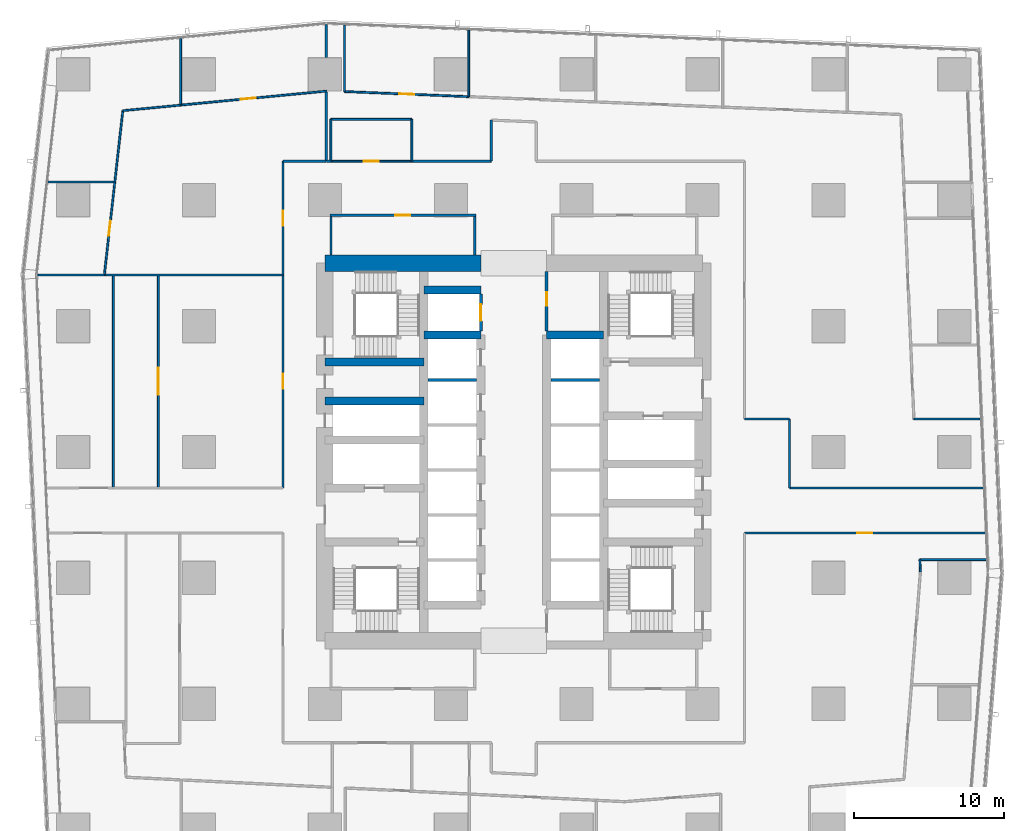
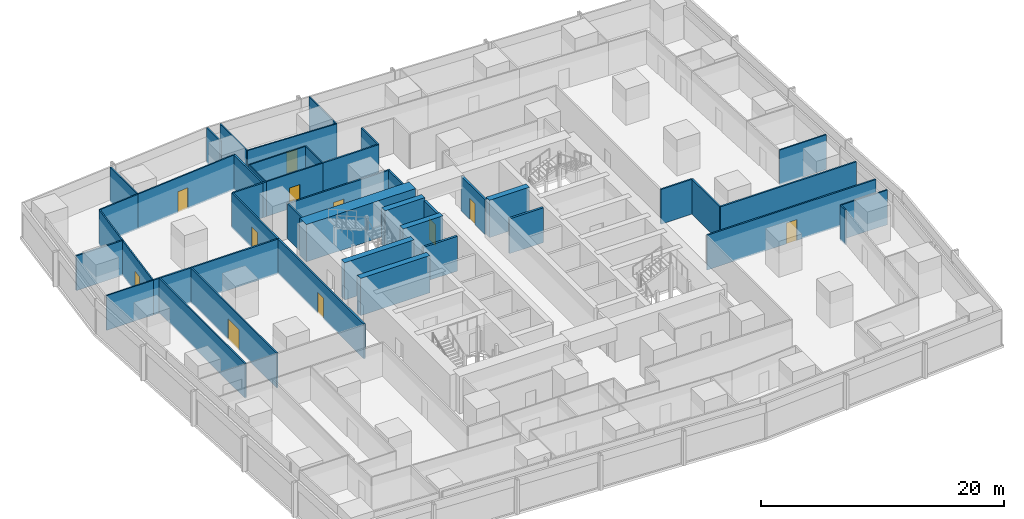
# One storey, part 34 of 45: 45 walls, 11 doors, 11 openings.
"""IFC4 building model written with IfcOpenShell, lengths in metres."""

from ifc_helpers import new_model, si_unit, direction, frame, frame_2d, origin, place, context, subcontext, project, spatial, rectangle, extrude, material, layer, layer_set, type_object, element, fill, save


model = new_model("IFC4")

# Units and contexts
model_context = context("Model", 3, precision=1e-05, world=origin(), true_north=direction((0.0, 1.0)))
body_context = subcontext(model_context, "Body", "Model", "MODEL_VIEW")
ifc_project = project(units=[si_unit("LENGTHUNIT", "METRE"), si_unit("AREAUNIT", "SQUARE_METRE"), si_unit("VOLUMEUNIT", "CUBIC_METRE"), si_unit("PLANEANGLEUNIT", "RADIAN"), si_unit("MASSUNIT", "GRAM", prefix="KILO")], contexts=[model_context])

# Site, building, storey
site_placement = place(None, origin())
site = spatial("IfcSite", under=ifc_project, at=site_placement, CompositionType="ELEMENT")
building_placement = place(site_placement, origin())
building = spatial("IfcBuilding", under=site, at=building_placement, Name="Rekha Terrace Tower", CompositionType="ELEMENT")
storey_placement = place(building_placement, frame((0.0, 0.0, 32.89990234375)))
storey = spatial("IfcBuildingStorey", under=building, at=storey_placement, Name="L07", CompositionType="ELEMENT", Elevation=32.89990234375)

# Walls
ifc_material_1 = material(Name="Concrete M70", Category="concrete")
ifc_layer_1 = layer(ifc_material_1, 0.550048828125)
ifc_layer_set_1 = layer_set([ifc_layer_1], Name="Concrete M70")
wall_type_1 = type_object("IfcWallType", Name="CI1 550 core internal shear wall", PredefinedType="SHEAR", material=ifc_layer_set_1)
for number, where, z_axis, x_axis, name in (
    (1, (31.800048828125, 41.39990234375, 0.0), (0.0, 0.0, 1.0), (1.0, 0.0, 0.0), "Core wall Y414W L07"),
    (2, (31.800048828125, 44.39990234375, 0.0), (0.0, 0.0, 1.0), (1.0, 0.0, 0.0), "Core wall Y444W L07"),
    (3, (40.0, 41.39990234375, 0.0), (0.0, 0.0, 1.0), (1.0, 0.0, 0.0), "Core wall Y414E L07"),
):
    element("IfcWall", number, at=place(storey_placement, frame(where, z_axis=z_axis, x_axis=x_axis)), inside=storey, type_object=wall_type_1, Name=name, PredefinedType="SHEAR", context=body_context, shape_type="SweptSolid", body=[
        extrude(rectangle(XDim=3.800048828125, YDim=0.550048828125, at=frame_2d((1.89990234375, 0.0))), origin(), (0.0, 0.0, 1.0), 3.75),
    ])
for number, where, z_axis, x_axis, name in (
    (4, (25.199951171875, 37.0, 0.0), (0.0, 0.0, 1.0), (1.0, 0.0, 0.0), "Core wall Y370W L07"),
    (5, (25.199951171875, 39.60009765625, 0.0), (0.0, 0.0, 1.0), (1.0, 0.0, 0.0), "Core wall Y396W L07"),
):
    element("IfcWall", number, at=place(storey_placement, frame(where, z_axis=z_axis, x_axis=x_axis)), inside=storey, type_object=wall_type_1, Name=name, PredefinedType="SHEAR", context=body_context, shape_type="SweptSolid", body=[
        extrude(rectangle(XDim=6.60009765625, YDim=0.550048828125, at=frame_2d((3.300048828125, 0.0))), origin(), (0.0, 0.0, 1.0), 3.75),
    ])
ifc_layer_2 = layer(ifc_material_1, 1.10009765625)
ifc_layer_set_2 = layer_set([ifc_layer_2], Name="Concrete M70")
wall_type_2 = type_object("IfcWallType", Name="SW1 1100 core outer shear wall", PredefinedType="SHEAR", material=ifc_layer_set_2)
wall_1_placement = place(storey_placement, frame((25.199951171875, 46.199951171875, 0.0), z_axis=(0.0, 0.0, 1.0), x_axis=(1.0, 0.0, 0.0)))
element("IfcWall", 6, at=wall_1_placement, inside=storey, type_object=wall_type_2, Name="Core wall N1 L07", PredefinedType="SHEAR", context=body_context, shape_type="SweptSolid", body=[
    extrude(rectangle(XDim=10.400146484375, YDim=1.10009765625, at=frame_2d((5.2001953125, 0.0))), origin(), (0.0, 0.0, 1.0), 3.75),
])

# Wall, opening, door
ifc_material_2 = material(Name="Concrete block masonry, 1 hour", Category="masonry")
ifc_layer_3 = layer(ifc_material_2, 0.14990234375)
ifc_layer_set_3 = layer_set([ifc_layer_3], Name="Concrete block masonry, 1 hour")
wall_type_3 = type_object("IfcWallType", Name="WP2 150 tenancy partition", PredefinedType="PARTITIONING", material=ifc_layer_set_3)
wall_2_placement = place(storey_placement, frame((25.52490234375, 49.39990234375, 0.0), z_axis=(0.0, 0.0, 1.0), x_axis=(1.0, 0.0, 0.0)))
wall_2 = element("IfcWall", 7, at=wall_2_placement, inside=storey, type_object=wall_type_3, Name="Women's WC wall L07", PredefinedType="PARTITIONING", context=body_context, shape_type="SweptSolid", body=[
    extrude(rectangle(XDim=9.75, YDim=0.14990234375, at=frame_2d((4.875, 0.0))), origin(), (0.0, 0.0, 1.0), 3.5),
])
opening_1_placement = place(wall_2_placement, frame((4.375, 0.0, 0.0)))
opening_1 = element("IfcOpeningElement", 8, at=opening_1_placement, cuts=wall_2, Name="Opening D3", PredefinedType="OPENING", context=body_context, shape_type="SweptSolid", body=[
    extrude(rectangle(XDim=1.0, YDim=2.10009765625, at=frame_2d((0.5, 1.050048828125))), frame((0.0, 0.0849609375, 0.0), z_axis=(0.0, -1.0, 0.0), x_axis=(1.0, 0.0, 0.0)), (0.0, 0.0, 1.0), 0.169921875),
])
ifc_material_3 = material(Name="Laminated timber fire door", Category="wood")
door_type_1 = type_object("IfcDoorType", Name="D3 1000x2100 WC door", OperationType="SINGLE_SWING_LEFT", PredefinedType="DOOR", material=ifc_material_3)
door_1_placement = place(opening_1_placement, origin())
door_1 = element("IfcDoor", 9, at=door_1_placement, inside=storey, type_object=door_type_1, Name="Door women's wc L07", OperationType="SINGLE_SWING_LEFT", OverallHeight=2.10009765625, OverallWidth=1.0, PredefinedType="DOOR", context=body_context, shape_type="SweptSolid", body=[
    extrude(rectangle(XDim=1.0, YDim=2.10009765625, at=frame_2d((0.5, 1.050048828125))), frame((0.0, 0.02490234375, 0.0), z_axis=(0.0, -1.0, 0.0), x_axis=(1.0, 0.0, 0.0)), (0.0, 0.0, 1.0), 0.050048828125),
])
fill(opening_1, door_1)

# Walls
for number, where, z_axis, x_axis, name in (
    (10, (25.60009765625, 46.75, 0.0), (0.0, 0.0, 1.0), (0.0, 1.0, 0.0), "Women's WC wall L07"),
    (11, (35.199951171875, 46.75, 0.0), (0.0, 0.0, 1.0), (0.0, 1.0, 0.0), "Women's WC wall L07"),
):
    element("IfcWall", number, at=place(storey_placement, frame(where, z_axis=z_axis, x_axis=x_axis)), inside=storey, type_object=wall_type_3, Name=name, PredefinedType="PARTITIONING", context=body_context, shape_type="SweptSolid", body=[
        extrude(rectangle(XDim=2.574951171875, YDim=0.14990234375, at=frame_2d((1.28759765625, 0.0))), origin(), (0.0, 0.0, 1.0), 3.5),
    ])

# Wall, opening, door
wall_3_placement = place(storey_placement, frame((53.199951171875, 28.199951171875, 0.0), z_axis=(0.0, 0.0, 1.0), x_axis=(1.0, 0.0, 0.0)))
wall_3 = element("IfcWall", 12, at=wall_3_placement, inside=storey, type_object=wall_type_3, Name="Partition L07-O1", PredefinedType="PARTITIONING", context=body_context, shape_type="SweptSolid", body=[
    extrude(rectangle(XDim=16.073974609375, YDim=0.14990234375, at=frame_2d((8.037109375, 0.0))), origin(), (0.0, 0.0, 1.0), 3.5),
])
opening_2_placement = place(wall_3_placement, frame((7.52197265625, 0.0, 0.0)))
opening_2 = element("IfcOpeningElement", 13, at=opening_2_placement, cuts=wall_3, Name="Opening D9", PredefinedType="OPENING", context=body_context, shape_type="SweptSolid", body=[
    extrude(rectangle(XDim=1.0, YDim=2.10009765625, at=frame_2d((0.5, 1.050048828125))), frame((0.0, 0.0849609375, 0.0), z_axis=(0.0, -1.0, 0.0), x_axis=(1.0, 0.0, 0.0)), (0.0, 0.0, 1.0), 0.169921875),
])
ifc_material_4 = material(Name="Timber fire door", Category="wood")
door_type_2 = type_object("IfcDoorType", Name="D9 1000x2100 office door", OperationType="SINGLE_SWING_LEFT", PredefinedType="DOOR", material=ifc_material_4)
door_2_placement = place(opening_2_placement, origin())
door_2 = element("IfcDoor", 14, at=door_2_placement, inside=storey, type_object=door_type_2, Name="Door open-plan office L07", OperationType="SINGLE_SWING_LEFT", OverallHeight=2.10009765625, OverallWidth=1.0, PredefinedType="DOOR", context=body_context, shape_type="SweptSolid", body=[
    extrude(rectangle(XDim=1.0, YDim=2.10009765625, at=frame_2d((0.5, 1.050048828125))), frame((0.0, 0.02490234375, 0.0), z_axis=(0.0, -1.0, 0.0), x_axis=(1.0, 0.0, 0.0)), (0.0, 0.0, 1.0), 0.050048828125),
])
fill(opening_2, door_2)

# Walls
wall_4_placement = place(storey_placement, frame((36.300048828125, 55.742919921875, 0.0), z_axis=(0.0, 0.0, 1.0), x_axis=(0.0, -1.0, 0.0)))
element("IfcWall", 15, at=wall_4_placement, inside=storey, type_object=wall_type_3, Name="Partition L07-O3", PredefinedType="PARTITIONING", context=body_context, shape_type="SweptSolid", body=[
    extrude(rectangle(XDim=2.742919921875, YDim=0.14990234375, at=frame_2d((1.37158203125, 0.0))), origin(), (0.0, 0.0, 1.0), 3.5),
])
wall_5_placement = place(storey_placement, frame((36.300048828125, 53.0, 0.0), z_axis=(0.0, 0.0, 1.0), x_axis=(-1.0, 0.0, 0.0)))
element("IfcWall", 16, at=wall_5_placement, inside=storey, type_object=wall_type_3, Name="Partition L07-O3", PredefinedType="PARTITIONING", context=body_context, shape_type="SweptSolid", body=[
    extrude(rectangle(XDim=5.300048828125, YDim=0.14990234375, at=frame_2d((2.64990234375, 0.0))), origin(), (0.0, 0.0, 1.0), 3.5),
])
wall_6_placement = place(storey_placement, frame((25.60009765625, 53.0, 0.0), z_axis=(0.0, 0.0, 1.0), x_axis=(-1.0, 0.0, 0.0)))
element("IfcWall", 17, at=wall_6_placement, inside=storey, type_object=wall_type_3, Name="Partition L07-O3", PredefinedType="PARTITIONING", context=body_context, shape_type="SweptSolid", body=[
    extrude(rectangle(XDim=0.30908203125, YDim=0.14990234375, at=frame_2d((0.154541015625, 0.0))), origin(), (0.0, 0.0, 1.0), 3.5),
])
wall_7_placement = place(storey_placement, frame((25.291015625, 53.0, 0.0), z_axis=(0.0, 0.0, 1.0), x_axis=(0.0, 1.0, 0.0)))
element("IfcWall", 18, at=wall_7_placement, inside=storey, type_object=wall_type_3, Name="Partition L07-O3", PredefinedType="PARTITIONING", context=body_context, shape_type="SweptSolid", body=[
    extrude(rectangle(XDim=4.613037109375, YDim=0.14990234375, at=frame_2d((2.306640625, 0.0))), origin(), (0.0, 0.0, 1.0), 3.5),
])
wall_8_placement = place(storey_placement, frame((25.291015625, 59.919921875, 0.0), z_axis=(0.0, 0.0, 1.0), x_axis=(0.0, 1.0, 0.0)))
element("IfcWall", 19, at=wall_8_placement, inside=storey, type_object=wall_type_3, Name="Partition L07-O3", PredefinedType="PARTITIONING", context=body_context, shape_type="SweptSolid", body=[
    extrude(rectangle(XDim=2.196044921875, YDim=0.14990234375, at=frame_2d((1.09814453125, 0.0))), origin(), (0.0, 0.0, 1.0), 3.5),
])
wall_9_placement = place(storey_placement, frame((69.14501953125, 31.199951171875, 0.0), z_axis=(0.0, 0.0, 1.0), x_axis=(-1.0, 0.0, 0.0)))
element("IfcWall", 20, at=wall_9_placement, inside=storey, type_object=wall_type_3, Name="Partition L07-O3", PredefinedType="PARTITIONING", context=body_context, shape_type="SweptSolid", body=[
    extrude(rectangle(XDim=12.945068359375, YDim=0.14990234375, at=frame_2d((6.47265625, 0.0))), origin(), (0.0, 0.0, 1.0), 3.5),
])
wall_10_placement = place(storey_placement, frame((56.199951171875, 31.199951171875, 0.0), z_axis=(0.0, 0.0, 1.0), x_axis=(0.0, 1.0, 0.0)))
element("IfcWall", 21, at=wall_10_placement, inside=storey, type_object=wall_type_3, Name="Partition L07-O3", PredefinedType="PARTITIONING", context=body_context, shape_type="SweptSolid", body=[
    extrude(rectangle(XDim=4.60009765625, YDim=0.14990234375, at=frame_2d((2.300048828125, 0.0))), origin(), (0.0, 0.0, 1.0), 3.5),
])
wall_11_placement = place(storey_placement, frame((56.199951171875, 35.800048828125, 0.0), z_axis=(0.0, 0.0, 1.0), x_axis=(-1.0, 0.0, 0.0)))
element("IfcWall", 22, at=wall_11_placement, inside=storey, type_object=wall_type_3, Name="Partition L07-O3", PredefinedType="PARTITIONING", context=body_context, shape_type="SweptSolid", body=[
    extrude(rectangle(XDim=3.0, YDim=0.14990234375, at=frame_2d((1.5, 0.0))), origin(), (0.0, 0.0, 1.0), 3.5),
])
wall_12_placement = place(storey_placement, frame((11.1220703125, 51.617919921875, 0.0), z_axis=(0.0, 0.0, 1.0), x_axis=(-1.0, 0.0, 0.0)))
element("IfcWall", 23, at=wall_12_placement, inside=storey, type_object=wall_type_3, Name="Partition L07-O4", PredefinedType="PARTITIONING", context=body_context, shape_type="SweptSolid", body=[
    extrude(rectangle(XDim=4.385009765625, YDim=0.14990234375, at=frame_2d((2.1923828125, 0.0))), origin(), (0.0, 0.0, 1.0), 3.5),
])
wall_13_placement = place(storey_placement, frame((25.2900390625, 53.0, 0.0), z_axis=(0.0, 0.0, 1.0), x_axis=(-1.0, 0.0, 0.0)))
element("IfcWall", 24, at=wall_13_placement, inside=storey, type_object=wall_type_3, Name="Partition L07-O4", PredefinedType="PARTITIONING", context=body_context, shape_type="SweptSolid", body=[
    extrude(rectangle(XDim=2.89013671875, YDim=0.14990234375, at=frame_2d((1.445068359375, 0.0))), origin(), (0.0, 0.0, 1.0), 3.5),
])

# Wall, opening, door
wall_14_placement = place(storey_placement, frame((22.39990234375, 53.0, 0.0), z_axis=(0.0, 0.0, 1.0), x_axis=(0.0, -1.0, 0.0)))
wall_14 = element("IfcWall", 25, at=wall_14_placement, inside=storey, type_object=wall_type_3, Name="Partition L07-O4", PredefinedType="PARTITIONING", context=body_context, shape_type="SweptSolid", body=[
    extrude(rectangle(XDim=7.587890625, YDim=0.14990234375, at=frame_2d((3.7939453125, 0.0))), origin(), (0.0, 0.0, 1.0), 3.5),
])
opening_3_placement = place(wall_14_placement, frame((3.2939453125, 0.0, 0.0)))
opening_3 = element("IfcOpeningElement", 26, at=opening_3_placement, cuts=wall_14, Name="Opening D9", PredefinedType="OPENING", context=body_context, shape_type="SweptSolid", body=[
    extrude(rectangle(XDim=1.0, YDim=2.10009765625, at=frame_2d((0.5, 1.050048828125))), frame((0.0, 0.0849609375, 0.0), z_axis=(0.0, -1.0, 0.0), x_axis=(1.0, 0.0, 0.0)), (0.0, 0.0, 1.0), 0.169921875),
])
door_3_placement = place(opening_3_placement, origin())
door_3 = element("IfcDoor", 27, at=door_3_placement, inside=storey, type_object=door_type_2, Name="Door open-plan office L07", OperationType="SINGLE_SWING_LEFT", OverallHeight=2.10009765625, OverallWidth=1.0, PredefinedType="DOOR", context=body_context, shape_type="SweptSolid", body=[
    extrude(rectangle(XDim=1.0, YDim=2.10009765625, at=frame_2d((0.5, 1.050048828125))), frame((0.0, 0.02490234375, 0.0), z_axis=(0.0, -1.0, 0.0), x_axis=(1.0, 0.0, 0.0)), (0.0, 0.0, 1.0), 0.050048828125),
])
fill(opening_3, door_3)

# Wall
wall_15_placement = place(storey_placement, frame((22.39990234375, 45.412109375, 0.0), z_axis=(0.0, 0.0, 1.0), x_axis=(-1.0, 0.0, 0.0)))
element("IfcWall", 28, at=wall_15_placement, inside=storey, type_object=wall_type_3, Name="Partition L07-O4", PredefinedType="PARTITIONING", context=body_context, shape_type="SweptSolid", body=[
    extrude(rectangle(XDim=11.911865234375, YDim=0.14990234375, at=frame_2d((5.9560546875, 0.0))), origin(), (0.0, 0.0, 1.0), 3.5),
])

# Wall, opening, door
wall_16_placement = place(storey_placement, frame((22.39990234375, 45.410888671875, 0.0), z_axis=(0.0, 0.0, 1.0), x_axis=(0.0, -1.0, 0.0)))
wall_16 = element("IfcWall", 29, at=wall_16_placement, inside=storey, type_object=wall_type_3, Name="Partition L07-O5", PredefinedType="PARTITIONING", context=body_context, shape_type="SweptSolid", body=[
    extrude(rectangle(XDim=14.2109375, YDim=0.14990234375, at=frame_2d((7.10546875, 0.0))), origin(), (0.0, 0.0, 1.0), 3.5),
])
opening_4_placement = place(wall_16_placement, frame((6.60595703125, 0.0, 0.0)))
opening_4 = element("IfcOpeningElement", 30, at=opening_4_placement, cuts=wall_16, Name="Opening D9", PredefinedType="OPENING", context=body_context, shape_type="SweptSolid", body=[
    extrude(rectangle(XDim=1.0, YDim=2.10009765625, at=frame_2d((0.5, 1.050048828125))), frame((0.0, 0.0849609375, 0.0), z_axis=(0.0, -1.0, 0.0), x_axis=(1.0, 0.0, 0.0)), (0.0, 0.0, 1.0), 0.169921875),
])
door_4_placement = place(opening_4_placement, origin())
door_4 = element("IfcDoor", 31, at=door_4_placement, inside=storey, type_object=door_type_2, Name="Door open-plan office L07", OperationType="SINGLE_SWING_LEFT", OverallHeight=2.10009765625, OverallWidth=1.0, PredefinedType="DOOR", context=body_context, shape_type="SweptSolid", body=[
    extrude(rectangle(XDim=1.0, YDim=2.10009765625, at=frame_2d((0.5, 1.050048828125))), frame((0.0, 0.02490234375, 0.0), z_axis=(0.0, -1.0, 0.0), x_axis=(1.0, 0.0, 0.0)), (0.0, 0.0, 1.0), 0.050048828125),
])
fill(opening_4, door_4)

# Walls
ifc_material_5 = material(Name="Two layers of fire-rated gypsum board each side on steel studs, acoustic quilt, 1 hour", Category="steel")
ifc_layer_4 = layer(ifc_material_5, 0.125)
ifc_layer_set_4 = layer_set([ifc_layer_4], Name="Two layers of fire-rated gypsum board each side on steel studs, acoustic quilt, 1 hour")
wall_type_4 = type_object("IfcWallType", Name="WP3 125 office partition", PredefinedType="PARTITIONING", material=ifc_layer_set_4)
wall_17_placement = place(storey_placement, frame((64.929931640625, 25.60107421875, 0.0), z_axis=(0.0, 0.0, 1.0), x_axis=(-0.042596960129, 0.999092337568, 0.0)))
element("IfcWall", 32, at=wall_17_placement, inside=storey, type_object=wall_type_4, Name="Partition L07-05", PredefinedType="PARTITIONING", context=body_context, shape_type="SweptSolid", body=[
    extrude(rectangle(XDim=0.819580078125, YDim=0.125, at=frame_2d((0.40966796875, 0.0))), origin(), (0.0, 0.0, 1.0), 3.5),
])
wall_18_placement = place(storey_placement, frame((64.89501953125, 26.419921875, 0.0), z_axis=(0.0, 0.0, 1.0), x_axis=(1.0, 0.0, 0.0)))
element("IfcWall", 33, at=wall_18_placement, inside=storey, type_object=wall_type_4, Name="Partition L07-05", PredefinedType="PARTITIONING", context=body_context, shape_type="SweptSolid", body=[
    extrude(rectangle(XDim=4.455078125, YDim=0.125, at=frame_2d((2.2275390625, 0.0))), origin(), (0.0, 0.0, 1.0), 3.5),
])
wall_19_placement = place(storey_placement, frame((68.9189453125, 35.799072265625, 0.0), z_axis=(0.0, 0.0, 1.0), x_axis=(-1.0, 0.0, 0.0)))
element("IfcWall", 34, at=wall_19_placement, inside=storey, type_object=wall_type_4, Name="Partition L07-09", PredefinedType="PARTITIONING", context=body_context, shape_type="SweptSolid", body=[
    extrude(rectangle(XDim=4.423828125, YDim=0.125, at=frame_2d((2.2119140625, 0.0))), origin(), (0.0, 0.0, 1.0), 3.5),
])
wall_20_placement = place(storey_placement, frame((34.801025390625, 57.305908203125, 0.0), z_axis=(0.0, 0.0, 1.0), x_axis=(0.0, 1.0, 0.0)))
element("IfcWall", 35, at=wall_20_placement, inside=storey, type_object=wall_type_4, Name="Partition L07-15", PredefinedType="PARTITIONING", context=body_context, shape_type="SweptSolid", body=[
    extrude(rectangle(XDim=4.453125, YDim=0.125, at=frame_2d((2.2265625, 0.0))), origin(), (0.0, 0.0, 1.0), 3.5),
])

# Wall, opening, door
wall_21_placement = place(storey_placement, frame((34.800048828125, 57.305908203125, 0.0), z_axis=(0.0, 0.0, 1.0), x_axis=(-0.999154762276, 0.041106702877, 0.0)))
wall_21 = element("IfcWall", 36, at=wall_21_placement, inside=storey, type_object=wall_type_4, Name="Partition L07-16", PredefinedType="PARTITIONING", context=body_context, shape_type="SweptSolid", body=[
    extrude(rectangle(XDim=8.297119140625, YDim=0.125, at=frame_2d((4.1484375, 0.0))), origin(), (0.0, 0.0, 1.0), 3.5),
])
opening_5_placement = place(wall_21_placement, frame((3.64892578125, 0.0, 0.0)))
opening_5 = element("IfcOpeningElement", 37, at=opening_5_placement, cuts=wall_21, Name="Opening D9", PredefinedType="OPENING", context=body_context, shape_type="SweptSolid", body=[
    extrude(rectangle(XDim=1.0, YDim=2.10009765625, at=frame_2d((0.5, 1.050048828125))), frame((0.0, 0.072509765625, 0.0), z_axis=(0.0, -1.0, 0.0), x_axis=(1.0, 0.0, 0.0)), (0.0, 0.0, 1.0), 0.14501953125),
])
door_5_placement = place(opening_5_placement, origin())
door_5 = element("IfcDoor", 38, at=door_5_placement, inside=storey, type_object=door_type_2, Name="Door office L07", OperationType="SINGLE_SWING_LEFT", OverallHeight=2.10009765625, OverallWidth=1.0, PredefinedType="DOOR", context=body_context, shape_type="SweptSolid", body=[
    extrude(rectangle(XDim=1.0, YDim=2.10009765625, at=frame_2d((0.5, 1.050048828125))), frame((0.0, 0.02490234375, 0.0), z_axis=(0.0, -1.0, 0.0), x_axis=(1.0, 0.0, 0.0)), (0.0, 0.0, 1.0), 0.050048828125),
])
fill(opening_5, door_5)

# Walls
wall_22_placement = place(storey_placement, frame((26.510009765625, 57.64697265625, 0.0), z_axis=(0.0, 0.0, 1.0), x_axis=(0.0, 1.0, 0.0)))
element("IfcWall", 39, at=wall_22_placement, inside=storey, type_object=wall_type_4, Name="Partition L07-16", PredefinedType="PARTITIONING", context=body_context, shape_type="SweptSolid", body=[
    extrude(rectangle(XDim=4.424072265625, YDim=0.125, at=frame_2d((2.2119140625, 0.0))), origin(), (0.0, 0.0, 1.0), 3.5),
])
wall_23_placement = place(storey_placement, frame((25.60009765625, 55.794921875, 0.0), z_axis=(0.0, 0.0, 1.0), x_axis=(1.0, 0.0, 0.0)))
element("IfcWall", 40, at=wall_23_placement, inside=storey, type_object=wall_type_4, Name="Partition L07-17", PredefinedType="PARTITIONING", context=body_context, shape_type="SweptSolid", body=[
    extrude(rectangle(XDim=5.39990234375, YDim=0.125, at=frame_2d((2.699951171875, 0.0))), origin(), (0.0, 0.0, 1.0), 3.5),
])
wall_24_placement = place(storey_placement, frame((31.0, 55.794921875, 0.0), z_axis=(0.0, 0.0, 1.0), x_axis=(0.0, -1.0, 0.0)))
element("IfcWall", 41, at=wall_24_placement, inside=storey, type_object=wall_type_4, Name="Partition L07-17", PredefinedType="PARTITIONING", context=body_context, shape_type="SweptSolid", body=[
    extrude(rectangle(XDim=2.794921875, YDim=0.125, at=frame_2d((1.3974609375, 0.0))), origin(), (0.0, 0.0, 1.0), 3.5),
])

# Wall, opening, door
wall_25_placement = place(storey_placement, frame((31.0, 53.0, 0.0), z_axis=(0.0, 0.0, 1.0), x_axis=(-1.0, 0.0, 0.0)))
wall_25 = element("IfcWall", 42, at=wall_25_placement, inside=storey, type_object=wall_type_4, Name="Partition L07-17", PredefinedType="PARTITIONING", context=body_context, shape_type="SweptSolid", body=[
    extrude(rectangle(XDim=5.39990234375, YDim=0.125, at=frame_2d((2.699951171875, 0.0))), origin(), (0.0, 0.0, 1.0), 3.5),
])
opening_6_placement = place(wall_25_placement, frame((2.199951171875, 0.0, 0.0)))
opening_6 = element("IfcOpeningElement", 43, at=opening_6_placement, cuts=wall_25, Name="Opening D9", PredefinedType="OPENING", context=body_context, shape_type="SweptSolid", body=[
    extrude(rectangle(XDim=1.0, YDim=2.10009765625, at=frame_2d((0.5, 1.050048828125))), frame((0.0, 0.072509765625, 0.0), z_axis=(0.0, -1.0, 0.0), x_axis=(1.0, 0.0, 0.0)), (0.0, 0.0, 1.0), 0.14501953125),
])
door_6_placement = place(opening_6_placement, origin())
door_6 = element("IfcDoor", 44, at=door_6_placement, inside=storey, type_object=door_type_2, Name="Door reception L07", OperationType="SINGLE_SWING_LEFT", OverallHeight=2.10009765625, OverallWidth=1.0, PredefinedType="DOOR", context=body_context, shape_type="SweptSolid", body=[
    extrude(rectangle(XDim=1.0, YDim=2.10009765625, at=frame_2d((0.5, 1.050048828125))), frame((0.0, 0.02490234375, 0.0), z_axis=(0.0, -1.0, 0.0), x_axis=(1.0, 0.0, 0.0)), (0.0, 0.0, 1.0), 0.050048828125),
])
fill(opening_6, door_6)

# Wall
wall_26_placement = place(storey_placement, frame((25.60009765625, 53.0, 0.0), z_axis=(0.0, 0.0, 1.0), x_axis=(0.0, 1.0, 0.0)))
element("IfcWall", 45, at=wall_26_placement, inside=storey, type_object=wall_type_4, Name="Partition L07-17", PredefinedType="PARTITIONING", context=body_context, shape_type="SweptSolid", body=[
    extrude(rectangle(XDim=2.794921875, YDim=0.125, at=frame_2d((1.3974609375, 0.0))), origin(), (0.0, 0.0, 1.0), 3.5),
])

# Wall, opening, door
wall_27_placement = place(storey_placement, frame((25.3310546875, 57.679931640625, 0.0), z_axis=(0.0, 0.0, 1.0), x_axis=(-0.995411812081, -0.095683459231, 0.0)))
wall_27 = element("IfcWall", 46, at=wall_27_placement, inside=storey, type_object=wall_type_4, Name="Partition L07-18", PredefinedType="PARTITIONING", context=body_context, shape_type="SweptSolid", body=[
    extrude(rectangle(XDim=9.802978515625, YDim=0.125, at=frame_2d((4.9013671875, 0.0))), origin(), (0.0, 0.0, 1.0), 3.5),
])
opening_7_placement = place(wall_27_placement, frame((4.76806640625, 0.0, 0.0)))
opening_7 = element("IfcOpeningElement", 47, at=opening_7_placement, cuts=wall_27, Name="Opening D9", PredefinedType="OPENING", context=body_context, shape_type="SweptSolid", body=[
    extrude(rectangle(XDim=1.0, YDim=2.10009765625, at=frame_2d((0.5, 1.050048828125))), frame((0.0, 0.072509765625, 0.0), z_axis=(0.0, -1.0, 0.0), x_axis=(1.0, 0.0, 0.0)), (0.0, 0.0, 1.0), 0.14501953125),
])
door_7_placement = place(opening_7_placement, origin())
door_7 = element("IfcDoor", 48, at=door_7_placement, inside=storey, type_object=door_type_2, Name="Door office L07", OperationType="SINGLE_SWING_LEFT", OverallHeight=2.10009765625, OverallWidth=1.0, PredefinedType="DOOR", context=body_context, shape_type="SweptSolid", body=[
    extrude(rectangle(XDim=1.0, YDim=2.10009765625, at=frame_2d((0.5, 1.050048828125))), frame((0.0, 0.02490234375, 0.0), z_axis=(0.0, -1.0, 0.0), x_axis=(1.0, 0.0, 0.0)), (0.0, 0.0, 1.0), 0.050048828125),
])
fill(opening_7, door_7)

# Walls
wall_28_placement = place(storey_placement, frame((15.572998046875, 56.741943359375, 0.0), z_axis=(0.0, 0.0, 1.0), x_axis=(0.0, 1.0, 0.0)))
element("IfcWall", 49, at=wall_28_placement, inside=storey, type_object=wall_type_4, Name="Partition L07-18", PredefinedType="PARTITIONING", context=body_context, shape_type="SweptSolid", body=[
    extrude(rectangle(XDim=4.43994140625, YDim=0.125, at=frame_2d((2.219970703125, 0.0))), origin(), (0.0, 0.0, 1.0), 3.5),
])
wall_29_placement = place(storey_placement, frame((15.572021484375, 56.740966796875, 0.0), z_axis=(0.0, 0.0, 1.0), x_axis=(-0.995424039812, -0.095556166539, 0.0)))
element("IfcWall", 50, at=wall_29_placement, inside=storey, type_object=wall_type_4, Name="Partition L07-19", PredefinedType="PARTITIONING", context=body_context, shape_type="SweptSolid", body=[
    extrude(rectangle(XDim=3.870849609375, YDim=0.125, at=frame_2d((1.935546875, 0.0))), origin(), (0.0, 0.0, 1.0), 3.5),
])
wall_30_placement = place(storey_placement, frame((11.718994140625, 56.37109375, 0.0), z_axis=(0.0, 0.0, 1.0), x_axis=(-0.111681309881, -0.993744074208, 0.0)))
element("IfcWall", 51, at=wall_30_placement, inside=storey, type_object=wall_type_4, Name="Partition L07-19", PredefinedType="PARTITIONING", context=body_context, shape_type="SweptSolid", body=[
    extrude(rectangle(XDim=4.781005859375, YDim=0.125, at=frame_2d((2.390625, 0.0))), origin(), (0.0, 0.0, 1.0), 3.5),
])

# Wall, opening, door
wall_31_placement = place(storey_placement, frame((11.18505859375, 51.6201171875, 0.0), z_axis=(0.0, 0.0, 1.0), x_axis=(-0.111576721485, -0.993755822737, 0.0)))
wall_31 = element("IfcWall", 52, at=wall_31_placement, inside=storey, type_object=wall_type_4, Name="Partition L07-19", PredefinedType="PARTITIONING", context=body_context, shape_type="SweptSolid", body=[
    extrude(rectangle(XDim=6.2470703125, YDim=0.125, at=frame_2d((3.12353515625, 0.0))), origin(), (0.0, 0.0, 1.0), 3.5),
])
opening_8_placement = place(wall_31_placement, frame((2.6240234375, 0.0, 0.0)))
opening_8 = element("IfcOpeningElement", 53, at=opening_8_placement, cuts=wall_31, Name="Opening D9", PredefinedType="OPENING", context=body_context, shape_type="SweptSolid", body=[
    extrude(rectangle(XDim=1.0, YDim=2.10009765625, at=frame_2d((0.5, 1.050048828125))), frame((0.0, 0.072509765625, 0.0), z_axis=(0.0, -1.0, 0.0), x_axis=(1.0, 0.0, 0.0)), (0.0, 0.0, 1.0), 0.14501953125),
])
door_8_placement = place(opening_8_placement, origin())
door_8 = element("IfcDoor", 54, at=door_8_placement, inside=storey, type_object=door_type_2, Name="Door manager's office L07", OperationType="SINGLE_SWING_LEFT", OverallHeight=2.10009765625, OverallWidth=1.0, PredefinedType="DOOR", context=body_context, shape_type="SweptSolid", body=[
    extrude(rectangle(XDim=1.0, YDim=2.10009765625, at=frame_2d((0.5, 1.050048828125))), frame((0.0, 0.02490234375, 0.0), z_axis=(0.0, -1.0, 0.0), x_axis=(1.0, 0.0, 0.0)), (0.0, 0.0, 1.0), 0.050048828125),
])
fill(opening_8, door_8)

# Walls
wall_32_placement = place(storey_placement, frame((10.488037109375, 45.412109375, 0.0), z_axis=(0.0, 0.0, 1.0), x_axis=(-1.0, 0.0, 0.0)))
element("IfcWall", 55, at=wall_32_placement, inside=storey, type_object=wall_type_4, Name="Partition L07-19", PredefinedType="PARTITIONING", context=body_context, shape_type="SweptSolid", body=[
    extrude(rectangle(XDim=4.444091796875, YDim=0.125, at=frame_2d((2.22216796875, 0.0))), origin(), (0.0, 0.0, 1.0), 3.5),
])
wall_33_placement = place(storey_placement, frame((11.090087890625, 45.3369140625, 0.0), z_axis=(0.0, 0.0, 1.0), x_axis=(0.0, -1.0, 0.0)))
element("IfcWall", 56, at=wall_33_placement, inside=storey, type_object=wall_type_4, Name="Partition L07-20", PredefinedType="PARTITIONING", context=body_context, shape_type="SweptSolid", body=[
    extrude(rectangle(XDim=14.135986328125, YDim=0.125, at=frame_2d((7.06787109375, 0.0))), origin(), (0.0, 0.0, 1.0), 3.5),
])

# Wall, opening, door
wall_34_placement = place(storey_placement, frame((14.090087890625, 45.3369140625, 0.0), z_axis=(0.0, 0.0, 1.0), x_axis=(0.0, -1.0, 0.0)))
wall_34 = element("IfcWall", 57, at=wall_34_placement, inside=storey, type_object=wall_type_4, Name="Partition L07-21", PredefinedType="PARTITIONING", context=body_context, shape_type="SweptSolid", body=[
    extrude(rectangle(XDim=14.136962890625, YDim=0.125, at=frame_2d((7.068359375, 0.0))), origin(), (0.0, 0.0, 1.0), 3.5),
])
opening_9_placement = place(wall_34_placement, frame((6.131103515625, 0.0, 0.0)))
opening_9 = element("IfcOpeningElement", 58, at=opening_9_placement, cuts=wall_34, Name="Opening D8", PredefinedType="OPENING", context=body_context, shape_type="SweptSolid", body=[
    extrude(rectangle(XDim=1.800048828125, YDim=2.10009765625, at=frame_2d((0.89990234375, 1.050048828125))), frame((0.0, 0.072509765625, 0.0), z_axis=(0.0, -1.0, 0.0), x_axis=(1.0, 0.0, 0.0)), (0.0, 0.0, 1.0), 0.14501953125),
])
door_type_3 = type_object("IfcDoorType", Name="D8 1800x2100 double leaf door", OperationType="DOUBLE_DOOR_SINGLE_SWING", PredefinedType="DOOR", material=ifc_material_4)
door_9_placement = place(opening_9_placement, origin())
door_9 = element("IfcDoor", 59, at=door_9_placement, inside=storey, type_object=door_type_3, Name="Door print room L07", OperationType="DOUBLE_DOOR_SINGLE_SWING", OverallHeight=2.10009765625, OverallWidth=1.800048828125, PredefinedType="DOOR", context=body_context, shape_type="SweptSolid", body=[
    extrude(rectangle(XDim=1.800048828125, YDim=2.10009765625, at=frame_2d((0.89990234375, 1.050048828125))), frame((0.0, 0.02490234375, 0.0), z_axis=(0.0, -1.0, 0.0), x_axis=(1.0, 0.0, 0.0)), (0.0, 0.0, 1.0), 0.050048828125),
])
fill(opening_9, door_9)

# Walls
ifc_material_6 = material(Name="Solid concrete block masonry, 2 hour", Category="masonry")
ifc_layer_5 = layer(ifc_material_6, 0.199951171875)
ifc_layer_set_5 = layer_set([ifc_layer_5], Name="Solid concrete block masonry, 2 hour")
wall_type_5 = type_object("IfcWallType", Name="WS1 200 stair and shaft enclosure", PredefinedType="PARTITIONING", material=ifc_layer_set_5)
for number, where, z_axis, x_axis, name in (
    (60, (32.074951171875, 38.39990234375, 0.0), (0.0, 0.0, 1.0), (1.0, 0.0, 0.0), "Lift shaft divider L07"),
    (61, (40.27490234375, 38.39990234375, 0.0), (0.0, 0.0, 1.0), (1.0, 0.0, 0.0), "Lift shaft divider L07"),
):
    element("IfcWall", number, at=place(storey_placement, frame(where, z_axis=z_axis, x_axis=x_axis)), inside=storey, type_object=wall_type_5, Name=name, PredefinedType="PARTITIONING", context=body_context, shape_type="SweptSolid", body=[
        extrude(rectangle(XDim=3.25, YDim=0.199951171875, at=frame_2d((1.625, 0.0))), origin(), (0.0, 0.0, 1.0), 3.5),
    ])

# Wall, opening, door
wall_35_placement = place(storey_placement, frame((40.0, 41.675048828125, 0.0), z_axis=(0.0, 0.0, 1.0), x_axis=(0.0, 1.0, 0.0)))
wall_35 = element("IfcWall", 62, at=wall_35_placement, inside=storey, type_object=wall_type_5, Name="Core partition elec L07", PredefinedType="PARTITIONING", context=body_context, shape_type="SweptSolid", body=[
    extrude(rectangle(XDim=3.974853515625, YDim=0.199951171875, at=frame_2d((1.9873046875, 0.0))), origin(), (0.0, 0.0, 1.0), 3.5),
])
opening_10_placement = place(wall_35_placement, frame((1.675048828125, 0.0, 0.0)))
opening_10 = element("IfcOpeningElement", 63, at=opening_10_placement, cuts=wall_35, Name="Opening D5", PredefinedType="OPENING", context=body_context, shape_type="SweptSolid", body=[
    extrude(rectangle(XDim=0.89990234375, YDim=2.10009765625, at=frame_2d((0.449951171875, 1.050048828125))), frame((0.0, 0.10986328125, 0.0), z_axis=(0.0, -1.0, 0.0), x_axis=(1.0, 0.0, 0.0)), (0.0, 0.0, 1.0), 0.219970703125),
])
ifc_material_7 = material(Name="Steel fire door", Category="steel")
door_type_4 = type_object("IfcDoorType", Name="D5 900x2100 riser access door", OperationType="SINGLE_SWING_LEFT", PredefinedType="DOOR", material=ifc_material_7)
door_10_placement = place(opening_10_placement, origin())
door_10 = element("IfcDoor", 64, at=door_10_placement, inside=storey, type_object=door_type_4, Name="Door electrical room L07", OperationType="SINGLE_SWING_LEFT", OverallHeight=2.10009765625, OverallWidth=0.89990234375, PredefinedType="DOOR", context=body_context, shape_type="SweptSolid", body=[
    extrude(rectangle(XDim=0.89990234375, YDim=2.10009765625, at=frame_2d((0.449951171875, 1.050048828125))), frame((0.0, 0.02490234375, 0.0), z_axis=(0.0, -1.0, 0.0), x_axis=(1.0, 0.0, 0.0)), (0.0, 0.0, 1.0), 0.050048828125),
])
fill(opening_10, door_10)

wall_36_placement = place(storey_placement, frame((35.60009765625, 41.675048828125, 0.0), z_axis=(0.0, 0.0, 1.0), x_axis=(0.0, 1.0, 0.0)))
wall_36 = element("IfcWall", 65, at=wall_36_placement, inside=storey, type_object=wall_type_5, Name="Core partition jansv L07", PredefinedType="PARTITIONING", context=body_context, shape_type="SweptSolid", body=[
    extrude(rectangle(XDim=2.449951171875, YDim=0.199951171875, at=frame_2d((1.22509765625, 0.0))), origin(), (0.0, 0.0, 1.0), 3.5),
])
opening_11_placement = place(wall_36_placement, frame((0.675048828125, 0.0, 0.0)))
opening_11 = element("IfcOpeningElement", 66, at=opening_11_placement, cuts=wall_36, Name="Opening LD1", PredefinedType="OPENING", context=body_context, shape_type="SweptSolid", body=[
    extrude(rectangle(XDim=1.10009765625, YDim=2.10009765625, at=frame_2d((0.550048828125, 1.050048828125))), frame((0.0, 0.10986328125, 0.0), z_axis=(0.0, -1.0, 0.0), x_axis=(1.0, 0.0, 0.0)), (0.0, 0.0, 1.0), 0.219970703125),
])
ifc_material_8 = material(Name="Stainless steel sliding landing door", Category="steel")
door_type_5 = type_object("IfcDoorType", Name="LD1 1100x2100 lift landing door", OperationType="SLIDING_TO_LEFT", PredefinedType="USERDEFINED", material=ifc_material_8)
door_11_placement = place(opening_11_placement, origin())
door_11 = element("IfcDoor", 67, at=door_11_placement, inside=storey, type_object=door_type_5, Name="Lift SV1 landing door L07", ObjectType="LIFT LANDING DOOR", OperationType="SLIDING_TO_LEFT", OverallHeight=2.10009765625, OverallWidth=1.10009765625, PredefinedType="USERDEFINED", context=body_context, shape_type="SweptSolid", body=[
    extrude(rectangle(XDim=1.10009765625, YDim=2.10009765625, at=frame_2d((0.550048828125, 1.050048828125))), frame((0.0, 0.02490234375, 0.0), z_axis=(0.0, -1.0, 0.0), x_axis=(1.0, 0.0, 0.0)), (0.0, 0.0, 1.0), 0.050048828125),
])
fill(opening_11, door_11)

save(model, "model.ifc")
